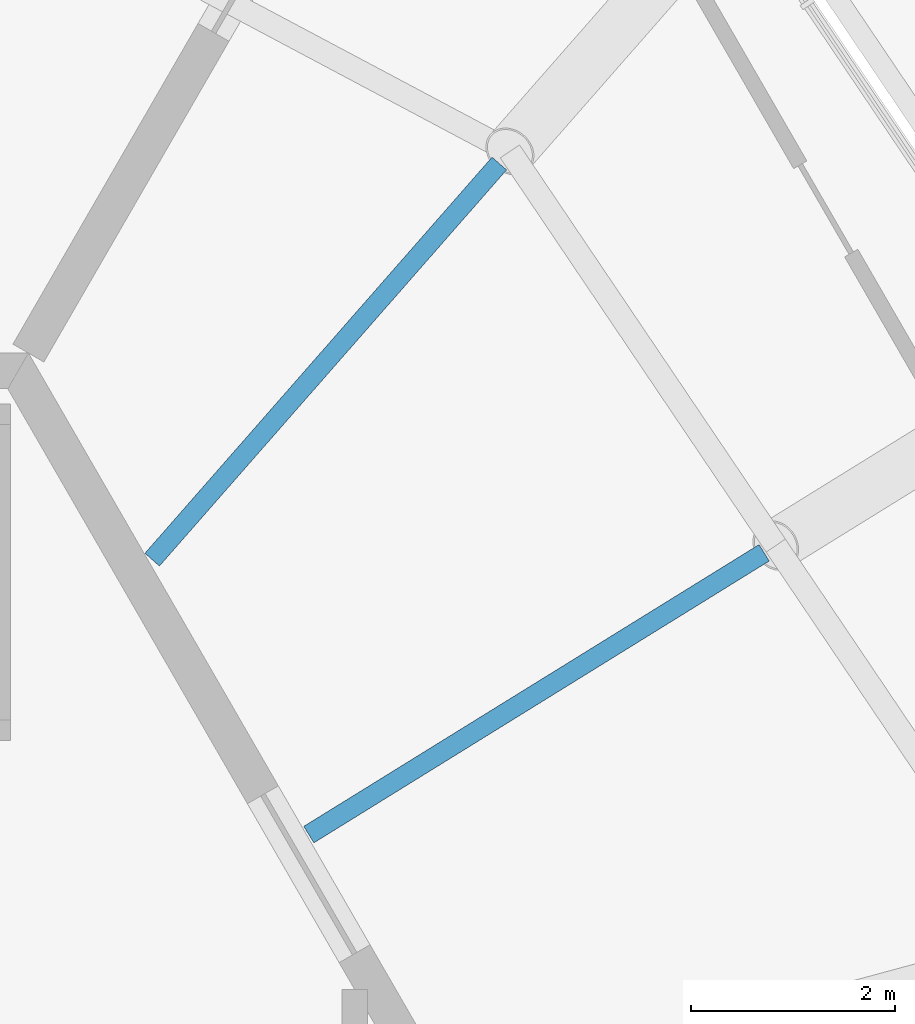
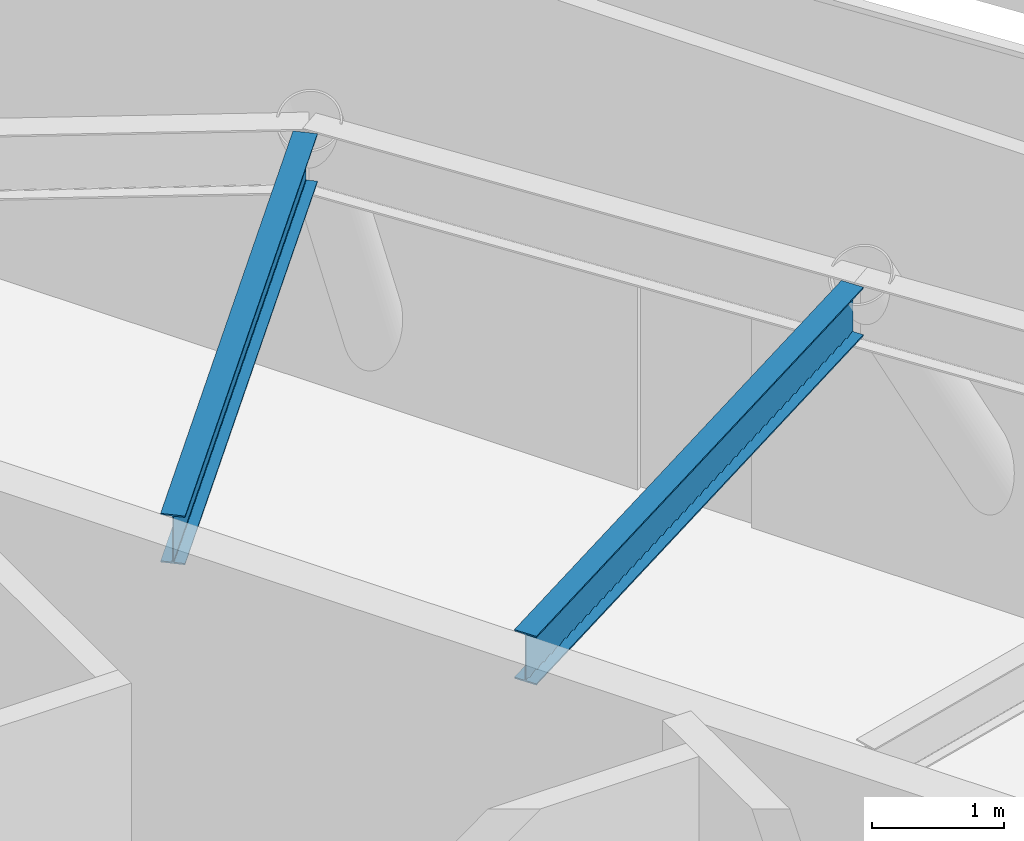
# One storey, part 4 of 12: 2 beams.
"""IFC4 building model written with IfcOpenShell, lengths in metres."""

from ifc_helpers import new_model, si_unit, direction, frame, origin, origin_2d, place, context, subcontext, project, spatial, i_section, extrude, material, material_profile, profile_set, type_object, element, save


model = new_model("IFC4")

# Units and contexts
model_context = context("Model", 3, precision=1e-05, world=origin(), true_north=direction((0.0, 1.0)))
body_context = subcontext(model_context, "Body", "Model", "MODEL_VIEW")
ifc_project = project(units=[si_unit("LENGTHUNIT", "METRE"), si_unit("AREAUNIT", "SQUARE_METRE"), si_unit("VOLUMEUNIT", "CUBIC_METRE"), si_unit("PLANEANGLEUNIT", "RADIAN"), si_unit("MASSUNIT", "GRAM", prefix="KILO")], contexts=[model_context])

# Site, building, storey
site_placement = place(None, origin())
site = spatial("IfcSite", under=ifc_project, at=site_placement, CompositionType="ELEMENT")
building_placement = place(site_placement, origin())
building = spatial("IfcBuilding", under=site, at=building_placement, Name="Tarnside Tower", CompositionType="ELEMENT")
storey_placement = place(building_placement, frame((0.0, 0.0, 392.699951171875)))
storey = spatial("IfcBuildingStorey", under=building, at=storey_placement, Name="L93", CompositionType="ELEMENT", Elevation=392.699951171875)

# Beams
ifc_material = material(Name="Steel S355", Category="steel")
ifc_material_profile = material_profile(ifc_material, i_section(OverallWidth=0.18994140625, OverallDepth=0.453369140625, WebThickness=0.008544921875, FlangeThickness=0.0126953125, FilletRadius=0.01025390625, at=origin_2d()), Name="UB 457x191x67")
ifc_profile_set = profile_set([ifc_material_profile], Name="Steel S355")
beam_type = type_object("IfcBeamType", Name="Floor beam UB 457x191x67", PredefinedType="BEAM", material=ifc_profile_set)
beam_1_placement = place(storey_placement, frame((12.99072265625, 8.040771484375, 4.0732421875), z_axis=(-0.850308723718, -0.52628421444, 0.0), x_axis=(0.52628421444, -0.850308723718, 0.0)))
element("IfcBeam", 1, at=beam_1_placement, inside=storey, type_object=beam_type, Name="Floor beam RB17", PredefinedType="BEAM", context=body_context, shape_type="SweptSolid", body=[
    extrude(i_section(OverallWidth=0.18994140625, OverallDepth=0.453369140625, WebThickness=0.008544921875, FlangeThickness=0.0126953125, FilletRadius=0.01025390625, at=origin_2d()), origin(), (0.0, 0.0, 1.0), 5.253173828125),
])
beam_2_placement = place(storey_placement, frame((10.392822265625, 11.859130859375, 4.0732421875), z_axis=(-0.659083114881, -0.75207010822, 0.0), x_axis=(0.75207010822, -0.659083114881, 0.0)))
element("IfcBeam", 2, at=beam_2_placement, inside=storey, type_object=beam_type, Name="Floor beam RB18", PredefinedType="BEAM", context=body_context, shape_type="SweptSolid", body=[
    extrude(i_section(OverallWidth=0.18994140625, OverallDepth=0.453369140625, WebThickness=0.008544921875, FlangeThickness=0.0126953125, FilletRadius=0.01025390625, at=origin_2d()), origin(), (0.0, 0.0, 1.0), 5.1669921875),
])

save(model, "model.ifc")
